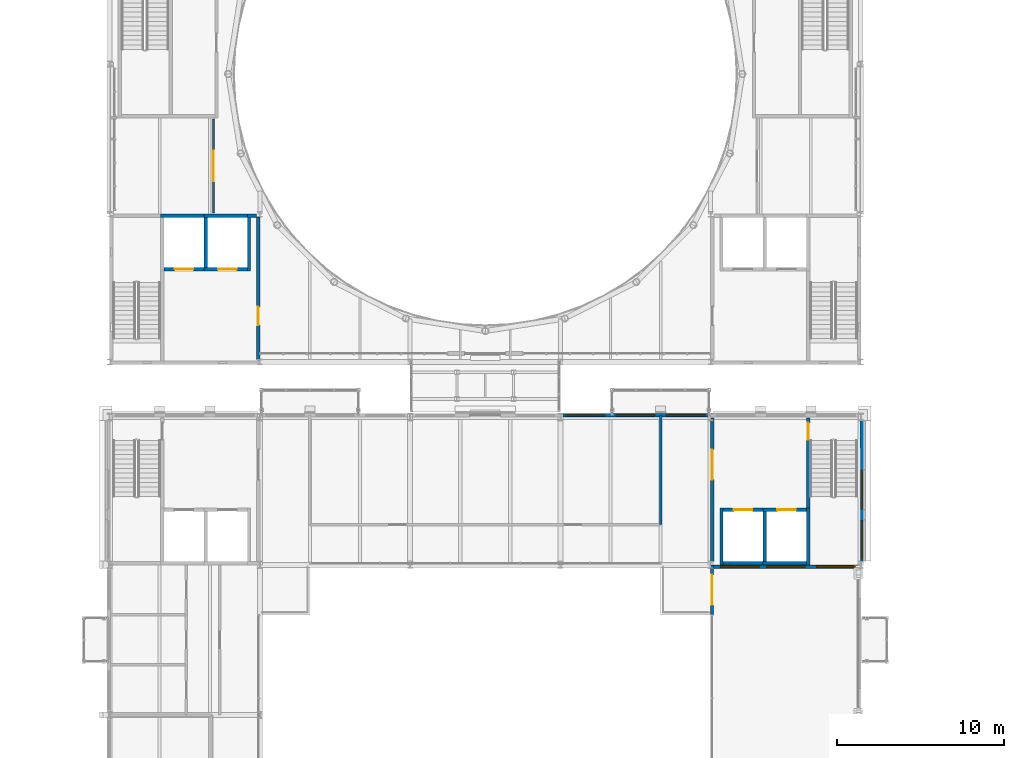
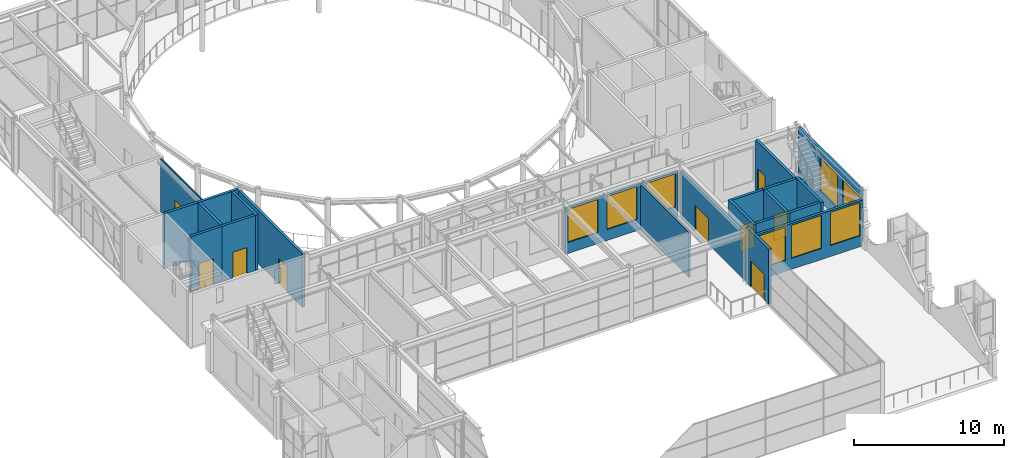
# One storey, part 72 of 111: 23 walls, 9 doors, 8 windows, 17 openings.
"""IFC4 building model written with IfcOpenShell, lengths in metres."""

from ifc_helpers import new_model, si_unit, direction, frame, frame_2d, origin, place, context, subcontext, project, spatial, rectangle, extrude, material, layer, layer_set, type_object, element, fill, save


model = new_model("IFC4")

# Units and contexts
model_context = context("Model", 3, precision=1e-05, world=origin(), true_north=direction((0.0, 1.0)))
body_context = subcontext(model_context, "Body", "Model", "MODEL_VIEW")
ifc_project = project(units=[si_unit("LENGTHUNIT", "METRE"), si_unit("AREAUNIT", "SQUARE_METRE"), si_unit("VOLUMEUNIT", "CUBIC_METRE"), si_unit("PLANEANGLEUNIT", "RADIAN"), si_unit("MASSUNIT", "GRAM", prefix="KILO")], contexts=[model_context])

# Site, building, storey
site_placement = place(None, origin())
site = spatial("IfcSite", under=ifc_project, at=site_placement, CompositionType="ELEMENT")
building_placement = place(site_placement, origin())
building = spatial("IfcBuilding", under=site, at=building_placement, Name="Kallimachos Central Library", CompositionType="ELEMENT")
storey_placement = place(building_placement, frame((0.0, 0.0, 14.39990234375)))
storey = spatial("IfcBuildingStorey", under=building, at=storey_placement, Name="L03", CompositionType="ELEMENT", Elevation=14.39990234375)

# Wall, opening, door
ifc_material_1 = material(Name="Brick masonry", Category="masonry")
ifc_layer_1 = layer(ifc_material_1, 0.199951171875)
ifc_layer_set_1 = layer_set([ifc_layer_1], Name="Atrium screen wall 200")
wall_type_1 = type_object("IfcWallType", Name="Atrium screen wall 200", PredefinedType="SOLIDWALL", material=ifc_layer_set_1)
wall_1_placement = place(storey_placement, frame((101.580078125, 72.0, 0.0), z_axis=(0.0, 0.0, 1.0), x_axis=(0.0, 1.0, 0.0)))
wall_1 = element("IfcWall", 1, at=wall_1_placement, inside=storey, type_object=wall_type_1, Name="L03 atrium screen wall E", PredefinedType="SOLIDWALL", context=body_context, shape_type="SweptSolid", body=[
    extrude(rectangle(XDim=3.0, YDim=0.199951171875, at=frame_2d((1.5, 0.0))), origin(), (0.0, 0.0, 1.0), 4.5),
])
opening_1_placement = place(wall_1_placement, frame((0.60009765625, 0.0, 0.0)))
opening_1 = element("IfcOpeningElement", 2, at=opening_1_placement, cuts=wall_1, Name="Opening D44", PredefinedType="OPENING", context=body_context, shape_type="SweptSolid", body=[
    extrude(rectangle(XDim=1.800048828125, YDim=2.10009765625, at=frame_2d((0.89990234375, 1.050048828125))), frame((0.0, 0.10986328125, 0.0), z_axis=(0.0, -1.0, 0.0), x_axis=(1.0, 0.0, 0.0)), (0.0, 0.0, 1.0), 0.219970703125),
])
ifc_material_2 = material(Name="Timber and glass", Category="wood")
door_type_1 = type_object("IfcDoorType", Name="Double leaf door 1800 x 2100, EI2 90", OperationType="DOUBLE_DOOR_SINGLE_SWING", PredefinedType="DOOR", material=ifc_material_2)
door_1_placement = place(opening_1_placement, origin())
door_1 = element("IfcDoor", 3, at=door_1_placement, inside=storey, type_object=door_type_1, Name="Atrium Door E", OperationType="DOUBLE_DOOR_SINGLE_SWING", OverallHeight=2.10009765625, OverallWidth=1.800048828125, PredefinedType="DOOR", context=body_context, shape_type="SweptSolid", body=[
    extrude(rectangle(XDim=1.800048828125, YDim=2.10009765625, at=frame_2d((0.89990234375, 1.050048828125))), frame((0.0, 0.02490234375, 0.0), z_axis=(0.0, -1.0, 0.0), x_axis=(1.0, 0.0, 0.0)), (0.0, 0.0, 1.0), 0.050048828125),
])
fill(opening_1, door_1)

ifc_material_3 = material(Name="Concrete C30/37", Category="concrete")
ifc_layer_2 = layer(ifc_material_3, 0.199951171875)
ifc_layer_set_2 = layer_set([ifc_layer_2], Name="Core wall 200")
wall_type_2 = type_object("IfcWallType", Name="Core wall 200", PredefinedType="SOLIDWALL", material=ifc_layer_set_2)
wall_2_placement = place(storey_placement, frame((74.39990234375, 87.31005859375, 0.0), z_axis=(0.0, 0.0, 1.0), x_axis=(0.0, 1.0, 0.0)))
wall_2 = element("IfcWall", 4, at=wall_2_placement, inside=storey, type_object=wall_type_2, Name="Core wall V1-SW E", PredefinedType="SOLIDWALL", context=body_context, shape_type="SweptSolid", body=[
    extrude(rectangle(XDim=8.530029296875, YDim=0.199951171875, at=frame_2d((4.26513671875, 0.0))), origin(), (0.0, 0.0, 1.0), 4.35009765625),
])
opening_2_placement = place(wall_2_placement, frame((2.0400390625, 0.0, 0.0)))
opening_2 = element("IfcOpeningElement", 5, at=opening_2_placement, cuts=wall_2, Name="Opening D223", PredefinedType="OPENING", context=body_context, shape_type="SweptSolid", body=[
    extrude(rectangle(XDim=1.10009765625, YDim=2.10009765625, at=frame_2d((0.550048828125, 1.050048828125))), frame((0.0, 0.10986328125, 0.0), z_axis=(0.0, -1.0, 0.0), x_axis=(1.0, 0.0, 0.0)), (0.0, 0.0, 1.0), 0.219970703125),
])
ifc_material_4 = material(Name="Steel fire door", Category="steel")
door_type_2 = type_object("IfcDoorType", Name="Fire door EI2 90 1100 x 2100", OperationType="NOTDEFINED", PredefinedType="DOOR", material=ifc_material_4)
door_2_placement = place(opening_2_placement, origin())
door_2 = element("IfcDoor", 6, at=door_2_placement, inside=storey, type_object=door_type_2, Name="V1-DOR-L03-006", OperationType="SINGLE_SWING_RIGHT", OverallHeight=2.10009765625, OverallWidth=1.10009765625, PredefinedType="DOOR", context=body_context, shape_type="SweptSolid", body=[
    extrude(rectangle(XDim=1.10009765625, YDim=2.10009765625, at=frame_2d((0.550048828125, 1.050048828125))), frame((0.0, 0.02490234375, 0.0), z_axis=(0.0, -1.0, 0.0), x_axis=(1.0, 0.0, 0.0)), (0.0, 0.0, 1.0), 0.050048828125),
])
fill(opening_2, door_2)

# Wall
wall_3_placement = place(storey_placement, frame((73.75, 95.89990234375, 0.0), z_axis=(0.0, 0.0, 1.0), x_axis=(1.0, 0.0, 0.0)))
element("IfcWall", 7, at=wall_3_placement, inside=storey, type_object=wall_type_2, Name="Core wall V1-SW N", PredefinedType="SOLIDWALL", context=body_context, shape_type="SweptSolid", body=[
    extrude(rectangle(XDim=0.550048828125, YDim=0.199951171875, at=frame_2d((0.27490234375, 0.0))), origin(), (0.0, 0.0, 1.0), 4.5),
])

# Wall, opening, door
ifc_material_5 = material(Name="Concrete C30/37", Category="concrete")
ifc_layer_3 = layer(ifc_material_5, 0.199951171875)
ifc_layer_set_3 = layer_set([ifc_layer_3], Name="Lift shaft wall 200")
wall_type_3 = type_object("IfcWallType", Name="Lift shaft wall 200", PredefinedType="SOLIDWALL", material=ifc_layer_set_3)
wall_4_placement = place(storey_placement, frame((104.64990234375, 78.300048828125, 0.0), z_axis=(0.0, 0.0, 1.0), x_axis=(1.0, 0.0, 0.0)))
wall_4 = element("IfcWall", 8, at=wall_4_placement, inside=storey, type_object=wall_type_3, Name="V4-WAL-L03-008", PredefinedType="SOLIDWALL", context=body_context, shape_type="SweptSolid", body=[
    extrude(rectangle(XDim=2.60009765625, YDim=0.199951171875, at=frame_2d((1.300048828125, 0.0))), origin(), (0.0, 0.0, 1.0), 4.5),
])
opening_3_placement = place(wall_4_placement, frame((0.85009765625, 0.0, 0.0)))
opening_3 = element("IfcOpeningElement", 9, at=opening_3_placement, cuts=wall_4, Name="Opening LD1100", PredefinedType="OPENING", context=body_context, shape_type="SweptSolid", body=[
    extrude(rectangle(XDim=1.10009765625, YDim=2.10009765625, at=frame_2d((0.550048828125, 1.050048828125))), frame((0.0, 0.10986328125, 0.0), z_axis=(0.0, -1.0, 0.0), x_axis=(1.0, 0.0, 0.0)), (0.0, 0.0, 1.0), 0.219970703125),
])
ifc_material_6 = material(Name="Stainless steel", Category="steel")
door_type_3 = type_object("IfcDoorType", Name="Lift landing door 1100 x 2100", OperationType="SLIDING_TO_LEFT", PredefinedType="DOOR", material=ifc_material_6)
door_3_placement = place(opening_3_placement, origin())
door_3 = element("IfcDoor", 10, at=door_3_placement, inside=storey, type_object=door_type_3, Name="LF9 landing door L03", OperationType="SLIDING_TO_LEFT", OverallHeight=2.10009765625, OverallWidth=1.10009765625, PredefinedType="DOOR", context=body_context, shape_type="SweptSolid", body=[
    extrude(rectangle(XDim=1.10009765625, YDim=2.10009765625, at=frame_2d((0.550048828125, 1.050048828125))), frame((0.0, 0.02490234375, 0.0), z_axis=(0.0, -1.0, 0.0), x_axis=(1.0, 0.0, 0.0)), (0.0, 0.0, 1.0), 0.050048828125),
])
fill(opening_3, door_3)

# Walls
wall_5_placement = place(storey_placement, frame((104.64990234375, 75.10009765625, 0.0), z_axis=(0.0, 0.0, 1.0), x_axis=(1.0, 0.0, 0.0)))
element("IfcWall", 11, at=wall_5_placement, inside=storey, type_object=wall_type_3, Name="V4-WAL-L03-009", PredefinedType="SOLIDWALL", context=body_context, shape_type="SweptSolid", body=[
    extrude(rectangle(XDim=2.60009765625, YDim=0.199951171875, at=frame_2d((1.300048828125, 0.0))), origin(), (0.0, 0.0, 1.0), 4.5),
])
for number, where, z_axis, x_axis, name in (
    (12, (104.75, 75.0, 0.0), (0.0, 0.0, 1.0), (0.0, 1.0, 0.0), "V4-WAL-L03-010"),
    (13, (107.35009765625, 75.0, 0.0), (0.0, 0.0, 1.0), (0.0, 1.0, 0.0), "V4-WAL-L03-011"),
):
    element("IfcWall", number, at=place(storey_placement, frame(where, z_axis=z_axis, x_axis=x_axis)), inside=storey, type_object=wall_type_3, Name=name, PredefinedType="SOLIDWALL", context=body_context, shape_type="SweptSolid", body=[
        extrude(rectangle(XDim=3.39990234375, YDim=0.199951171875, at=frame_2d((1.699951171875, 0.0))), origin(), (0.0, 0.0, 1.0), 4.5),
    ])

# Wall, opening, door
wall_6_placement = place(storey_placement, frame((102.25, 78.300048828125, 0.0), z_axis=(0.0, 0.0, 1.0), x_axis=(1.0, 0.0, 0.0)))
wall_6 = element("IfcWall", 14, at=wall_6_placement, inside=storey, type_object=wall_type_3, Name="V4-WAL-L03-012", PredefinedType="SOLIDWALL", context=body_context, shape_type="SweptSolid", body=[
    extrude(rectangle(XDim=2.39990234375, YDim=0.199951171875, at=frame_2d((1.199951171875, 0.0))), origin(), (0.0, 0.0, 1.0), 4.5),
])
opening_4_placement = place(wall_6_placement, frame((0.64990234375, 0.0, 0.0)))
opening_4 = element("IfcOpeningElement", 15, at=opening_4_placement, cuts=wall_6, Name="Opening LD1100", PredefinedType="OPENING", context=body_context, shape_type="SweptSolid", body=[
    extrude(rectangle(XDim=1.10009765625, YDim=2.10009765625, at=frame_2d((0.550048828125, 1.050048828125))), frame((0.0, 0.10986328125, 0.0), z_axis=(0.0, -1.0, 0.0), x_axis=(1.0, 0.0, 0.0)), (0.0, 0.0, 1.0), 0.219970703125),
])
door_4_placement = place(opening_4_placement, origin())
door_4 = element("IfcDoor", 16, at=door_4_placement, inside=storey, type_object=door_type_3, Name="LF10 landing door L03", OperationType="SLIDING_TO_LEFT", OverallHeight=2.10009765625, OverallWidth=1.10009765625, PredefinedType="DOOR", context=body_context, shape_type="SweptSolid", body=[
    extrude(rectangle(XDim=1.10009765625, YDim=2.10009765625, at=frame_2d((0.550048828125, 1.050048828125))), frame((0.0, 0.02490234375, 0.0), z_axis=(0.0, -1.0, 0.0), x_axis=(1.0, 0.0, 0.0)), (0.0, 0.0, 1.0), 0.050048828125),
])
fill(opening_4, door_4)

# Walls
wall_7_placement = place(storey_placement, frame((102.25, 75.10009765625, 0.0), z_axis=(0.0, 0.0, 1.0), x_axis=(1.0, 0.0, 0.0)))
element("IfcWall", 17, at=wall_7_placement, inside=storey, type_object=wall_type_3, Name="V4-WAL-L03-013", PredefinedType="SOLIDWALL", context=body_context, shape_type="SweptSolid", body=[
    extrude(rectangle(XDim=2.39990234375, YDim=0.199951171875, at=frame_2d((1.199951171875, 0.0))), origin(), (0.0, 0.0, 1.0), 4.5),
])
wall_8_placement = place(storey_placement, frame((102.14990234375, 75.0, 0.0), z_axis=(0.0, 0.0, 1.0), x_axis=(0.0, 1.0, 0.0)))
element("IfcWall", 18, at=wall_8_placement, inside=storey, type_object=wall_type_3, Name="V4-WAL-L03-014", PredefinedType="SOLIDWALL", context=body_context, shape_type="SweptSolid", body=[
    extrude(rectangle(XDim=3.39990234375, YDim=0.199951171875, at=frame_2d((1.699951171875, 0.0))), origin(), (0.0, 0.0, 1.0), 4.5),
])
wall_9_placement = place(storey_placement, frame((68.550048828125, 95.89990234375, 0.0), z_axis=(0.0, 0.0, 1.0), x_axis=(1.0, 0.0, 0.0)))
element("IfcWall", 19, at=wall_9_placement, inside=storey, type_object=wall_type_3, Name="V1-WAL-L03-001", PredefinedType="SOLIDWALL", context=body_context, shape_type="SweptSolid", body=[
    extrude(rectangle(XDim=2.599853515625, YDim=0.199951171875, at=frame_2d((1.2998046875, 0.0))), origin(), (0.0, 0.0, 1.0), 4.5),
])

# Wall, opening, door
wall_10_placement = place(storey_placement, frame((68.75, 92.699951171875, 0.0), z_axis=(0.0, 0.0, 1.0), x_axis=(1.0, 0.0, 0.0)))
wall_10 = element("IfcWall", 20, at=wall_10_placement, inside=storey, type_object=wall_type_3, Name="V1-WAL-L03-002", PredefinedType="SOLIDWALL", context=body_context, shape_type="SweptSolid", body=[
    extrude(rectangle(XDim=2.39990234375, YDim=0.199951171875, at=frame_2d((1.199951171875, 0.0))), origin(), (0.0, 0.0, 1.0), 4.5),
])
opening_5_placement = place(wall_10_placement, frame((0.64990234375, 0.0, 0.0)))
opening_5 = element("IfcOpeningElement", 21, at=opening_5_placement, cuts=wall_10, Name="Opening LD1100", PredefinedType="OPENING", context=body_context, shape_type="SweptSolid", body=[
    extrude(rectangle(XDim=1.10009765625, YDim=2.10009765625, at=frame_2d((0.550048828125, 1.050048828125))), frame((0.0, 0.10986328125, 0.0), z_axis=(0.0, -1.0, 0.0), x_axis=(1.0, 0.0, 0.0)), (0.0, 0.0, 1.0), 0.219970703125),
])
door_5_placement = place(opening_5_placement, origin())
door_5 = element("IfcDoor", 22, at=door_5_placement, inside=storey, type_object=door_type_3, Name="LF1 landing door L03", OperationType="SLIDING_TO_LEFT", OverallHeight=2.10009765625, OverallWidth=1.10009765625, PredefinedType="DOOR", context=body_context, shape_type="SweptSolid", body=[
    extrude(rectangle(XDim=1.10009765625, YDim=2.10009765625, at=frame_2d((0.550048828125, 1.050048828125))), frame((0.0, 0.02490234375, 0.0), z_axis=(0.0, -1.0, 0.0), x_axis=(1.0, 0.0, 0.0)), (0.0, 0.0, 1.0), 0.050048828125),
])
fill(opening_5, door_5)

# Walls
wall_11_placement = place(storey_placement, frame((71.25, 92.60009765625, 0.0), z_axis=(0.0, 0.0, 1.0), x_axis=(0.0, 1.0, 0.0)))
element("IfcWall", 23, at=wall_11_placement, inside=storey, type_object=wall_type_3, Name="V1-WAL-L03-004", PredefinedType="SOLIDWALL", context=body_context, shape_type="SweptSolid", body=[
    extrude(rectangle(XDim=3.39990234375, YDim=0.199951171875, at=frame_2d((1.699951171875, 0.0))), origin(), (0.0, 0.0, 1.0), 4.5),
])
wall_12_placement = place(storey_placement, frame((71.14990234375, 95.89990234375, 0.0), z_axis=(0.0, 0.0, 1.0), x_axis=(1.0, 0.0, 0.0)))
element("IfcWall", 24, at=wall_12_placement, inside=storey, type_object=wall_type_3, Name="V1-WAL-L03-005", PredefinedType="SOLIDWALL", context=body_context, shape_type="SweptSolid", body=[
    extrude(rectangle(XDim=2.60009765625, YDim=0.199951171875, at=frame_2d((1.300048828125, 0.0))), origin(), (0.0, 0.0, 1.0), 4.5),
])

# Wall, opening, door
wall_13_placement = place(storey_placement, frame((71.14990234375, 92.699951171875, 0.0), z_axis=(0.0, 0.0, 1.0), x_axis=(1.0, 0.0, 0.0)))
wall_13 = element("IfcWall", 25, at=wall_13_placement, inside=storey, type_object=wall_type_3, Name="V1-WAL-L03-006", PredefinedType="SOLIDWALL", context=body_context, shape_type="SweptSolid", body=[
    extrude(rectangle(XDim=2.60009765625, YDim=0.199951171875, at=frame_2d((1.300048828125, 0.0))), origin(), (0.0, 0.0, 1.0), 4.5),
])
opening_6_placement = place(wall_13_placement, frame((0.85009765625, 0.0, 0.0)))
opening_6 = element("IfcOpeningElement", 26, at=opening_6_placement, cuts=wall_13, Name="Opening LD1100", PredefinedType="OPENING", context=body_context, shape_type="SweptSolid", body=[
    extrude(rectangle(XDim=1.10009765625, YDim=2.10009765625, at=frame_2d((0.550048828125, 1.050048828125))), frame((0.0, 0.10986328125, 0.0), z_axis=(0.0, -1.0, 0.0), x_axis=(1.0, 0.0, 0.0)), (0.0, 0.0, 1.0), 0.219970703125),
])
door_6_placement = place(opening_6_placement, origin())
door_6 = element("IfcDoor", 27, at=door_6_placement, inside=storey, type_object=door_type_3, Name="LF2 landing door L03", OperationType="SLIDING_TO_LEFT", OverallHeight=2.10009765625, OverallWidth=1.10009765625, PredefinedType="DOOR", context=body_context, shape_type="SweptSolid", body=[
    extrude(rectangle(XDim=1.10009765625, YDim=2.10009765625, at=frame_2d((0.550048828125, 1.050048828125))), frame((0.0, 0.02490234375, 0.0), z_axis=(0.0, -1.0, 0.0), x_axis=(1.0, 0.0, 0.0)), (0.0, 0.0, 1.0), 0.050048828125),
])
fill(opening_6, door_6)

# Wall
wall_14_placement = place(storey_placement, frame((73.85009765625, 92.60009765625, 0.0), z_axis=(0.0, 0.0, 1.0), x_axis=(0.0, 1.0, 0.0)))
element("IfcWall", 28, at=wall_14_placement, inside=storey, type_object=wall_type_3, Name="V1-WAL-L03-007", PredefinedType="SOLIDWALL", context=body_context, shape_type="SweptSolid", body=[
    extrude(rectangle(XDim=3.39990234375, YDim=0.199951171875, at=frame_2d((1.699951171875, 0.0))), origin(), (0.0, 0.0, 1.0), 4.5),
])

# Wall, opening, door
ifc_material_7 = material(Name="Plasterboard on steel studs", Category="steel")
ifc_layer_4 = layer(ifc_material_7, 0.10009765625)
ifc_layer_set_4 = layer_set([ifc_layer_4], Name="Partition 100")
wall_type_4 = type_object("IfcWallType", Name="Partition 100", PredefinedType="PARTITIONING", material=ifc_layer_set_4)
wall_15_placement = place(storey_placement, frame((71.719970703125, 101.695068359375, 0.0), z_axis=(0.0, 0.0, 1.0), x_axis=(0.0, -1.0, 0.0)))
wall_15 = element("IfcWall", 29, at=wall_15_placement, inside=storey, type_object=wall_type_4, Name="Partition", PredefinedType="PARTITIONING", context=body_context, shape_type="SweptSolid", body=[
    extrude(rectangle(XDim=5.614990234375, YDim=0.10009765625, at=frame_2d((2.8076171875, 0.0))), origin(), (0.0, 0.0, 1.0), 4.35009765625),
])
opening_7_placement = place(wall_15_placement, frame((1.907470703125, 0.0, 0.0)))
opening_7 = element("IfcOpeningElement", 30, at=opening_7_placement, cuts=wall_15, Name="Opening D272", PredefinedType="OPENING", context=body_context, shape_type="SweptSolid", body=[
    extrude(rectangle(XDim=1.800048828125, YDim=2.10009765625, at=frame_2d((0.89990234375, 1.050048828125))), frame((0.0, 0.06005859375, 0.0), z_axis=(0.0, -1.0, 0.0), x_axis=(1.0, 0.0, 0.0)), (0.0, 0.0, 1.0), 0.1201171875),
])
ifc_material_8 = material(Name="Oak veneered door leaf")
door_type_4 = type_object("IfcDoorType", Name="Double leaf door EI2 30 1800 x 2100", OperationType="DOUBLE_DOOR_SINGLE_SWING", PredefinedType="DOOR", material=ifc_material_8)
door_7_placement = place(opening_7_placement, origin())
door_7 = element("IfcDoor", 31, at=door_7_placement, inside=storey, type_object=door_type_4, Name="V1-DOR-L03-010", OperationType="DOUBLE_DOOR_SINGLE_SWING", OverallHeight=2.10009765625, OverallWidth=1.800048828125, PredefinedType="DOOR", context=body_context, shape_type="SweptSolid", body=[
    extrude(rectangle(XDim=1.800048828125, YDim=2.10009765625, at=frame_2d((0.89990234375, 1.050048828125))), frame((0.0, 0.02490234375, 0.0), z_axis=(0.0, -1.0, 0.0), x_axis=(1.0, 0.0, 0.0)), (0.0, 0.0, 1.0), 0.050048828125),
])
fill(opening_7, door_7)

# Wall
ifc_material_9 = material(Name="Gypsum board on steel studs", Category="steel")
ifc_layer_5 = layer(ifc_material_9, 0.14990234375)
ifc_layer_set_5 = layer_set([ifc_layer_5], Name="Partition wall 150")
wall_type_5 = type_object("IfcWallType", Name="Partition wall 150", PredefinedType="PARTITIONING", material=ifc_layer_set_5)
wall_16_placement = place(storey_placement, frame((98.5, 77.39990234375, 0.0), z_axis=(0.0, 0.0, 1.0), x_axis=(0.0, 1.0, 0.0)))
element("IfcWall", 32, at=wall_16_placement, inside=storey, type_object=wall_type_5, Name="L03 partition", PredefinedType="PARTITIONING", context=body_context, shape_type="SweptSolid", body=[
    extrude(rectangle(XDim=6.550048828125, YDim=0.14990234375, at=frame_2d((3.27490234375, 0.0))), origin(), (0.0, 0.0, 1.0), 3.7001953125),
])

# Wall, opening, door
ifc_material_10 = material(Name="Concrete C35/45", Category="concrete")
ifc_layer_6 = layer(ifc_material_10, 0.199951171875)
ifc_layer_set_6 = layer_set([ifc_layer_6], Name="Shear core wall 200, internal")
wall_type_6 = type_object("IfcWallType", Name="Shear core wall 200, internal", PredefinedType="SHEAR", material=ifc_layer_set_6)
wall_17_placement = place(storey_placement, frame((101.60009765625, 75.199951171875, 0.0), z_axis=(0.0, 0.0, 1.0), x_axis=(0.0, 1.0, 0.0)))
wall_17 = element("IfcWall", 33, at=wall_17_placement, inside=storey, type_object=wall_type_6, Name="L03 core wall V4-NE E", PredefinedType="SHEAR", context=body_context, shape_type="SweptSolid", body=[
    extrude(rectangle(XDim=8.60009765625, YDim=0.199951171875, at=frame_2d((4.300048828125, 0.0))), origin(), (0.0, 0.0, 1.0), 3.75),
])
opening_8_placement = place(wall_17_placement, frame((4.89990234375, 0.0, 0.0)))
opening_8 = element("IfcOpeningElement", 34, at=opening_8_placement, cuts=wall_17, Name="Opening D160", PredefinedType="OPENING", context=body_context, shape_type="SweptSolid", body=[
    extrude(rectangle(XDim=1.800048828125, YDim=2.10009765625, at=frame_2d((0.89990234375, 1.050048828125))), frame((0.0, 0.10986328125, 0.0), z_axis=(0.0, -1.0, 0.0), x_axis=(1.0, 0.0, 0.0)), (0.0, 0.0, 1.0), 0.219970703125),
])
door_8_placement = place(opening_8_placement, origin())
door_8 = element("IfcDoor", 35, at=door_8_placement, inside=storey, type_object=door_type_1, Name="L03 core door V4-NE", OperationType="DOUBLE_DOOR_SINGLE_SWING", OverallHeight=2.10009765625, OverallWidth=1.800048828125, PredefinedType="DOOR", context=body_context, shape_type="SweptSolid", body=[
    extrude(rectangle(XDim=1.800048828125, YDim=2.10009765625, at=frame_2d((0.89990234375, 1.050048828125))), frame((0.0, 0.02490234375, 0.0), z_axis=(0.0, -1.0, 0.0), x_axis=(1.0, 0.0, 0.0)), (0.0, 0.0, 1.0), 0.050048828125),
])
fill(opening_8, door_8)

wall_18_placement = place(storey_placement, frame((107.35009765625, 78.39990234375, 0.0), z_axis=(0.0, 0.0, 1.0), x_axis=(0.0, 1.0, 0.0)))
wall_18 = element("IfcWall", 36, at=wall_18_placement, inside=storey, type_object=wall_type_6, Name="L03 core wall V4-NE M", PredefinedType="SHEAR", context=body_context, shape_type="SweptSolid", body=[
    extrude(rectangle(XDim=5.400146484375, YDim=0.199951171875, at=frame_2d((2.7001953125, 0.0))), origin(), (0.0, 0.0, 1.0), 4.300048828125),
])
opening_9_placement = place(wall_18_placement, frame((4.10009765625, 0.0, 0.0)))
opening_9 = element("IfcOpeningElement", 37, at=opening_9_placement, cuts=wall_18, Name="Opening D165", PredefinedType="OPENING", context=body_context, shape_type="SweptSolid", body=[
    extrude(rectangle(XDim=1.0, YDim=2.10009765625, at=frame_2d((0.5, 1.050048828125))), frame((0.0, 0.10986328125, 0.0), z_axis=(0.0, -1.0, 0.0), x_axis=(1.0, 0.0, 0.0)), (0.0, 0.0, 1.0), 0.219970703125),
])
ifc_material_11 = material(Name="Timber", Category="wood")
door_type_5 = type_object("IfcDoorType", Name="Single leaf door 1000 x 2100, EI2 90", OperationType="NOTDEFINED", PredefinedType="DOOR", material=ifc_material_11)
door_9_placement = place(opening_9_placement, frame((1.0, 0.0, 0.0), z_axis=(0.0, 0.0, 1.0), x_axis=(-1.0, 0.0, 0.0)))
door_9 = element("IfcDoor", 38, at=door_9_placement, inside=storey, type_object=door_type_5, Name="L03 core door V4-NE", OperationType="SINGLE_SWING_LEFT", OverallHeight=2.10009765625, OverallWidth=1.0, PredefinedType="DOOR", context=body_context, shape_type="SweptSolid", body=[
    extrude(rectangle(XDim=1.0, YDim=2.10009765625, at=frame_2d((0.5, 1.050048828125))), frame((0.0, 0.02490234375, 0.0), z_axis=(0.0, -1.0, 0.0), x_axis=(1.0, 0.0, 0.0)), (0.0, 0.0, 1.0), 0.050048828125),
])
fill(opening_9, door_9)

# Wall, openings, windows
ifc_material_12 = material(Name="Brick masonry with Pentelic marble cladding", Category="masonry")
ifc_layer_7 = layer(ifc_material_12, 0.199951171875)
ifc_layer_set_7 = layer_set([ifc_layer_7], Name="Stone-clad masonry wall 200")
wall_type_7 = type_object("IfcWallType", Name="Stone-clad masonry wall 200", PredefinedType="SOLIDWALL", material=ifc_layer_set_7)
wall_19_placement = place(storey_placement, frame((92.653564453125, 83.966064453125, 0.0), z_axis=(0.0, 0.0, 1.0), x_axis=(1.0, 0.0, 0.0)))
wall_19 = element("IfcWall", 39, at=wall_19_placement, inside=storey, type_object=wall_type_7, Name="V4-WAL-L03-018", PredefinedType="SOLIDWALL", context=body_context, shape_type="SweptSolid", body=[
    extrude(rectangle(XDim=8.69287109375, YDim=0.199951171875, at=frame_2d((4.346435546875, 0.0))), origin(), (0.0, 0.0, 1.0), 3.75),
])
opening_10_placement = place(wall_19_placement, frame((0.196533203125, 0.0, 0.89990234375)))
opening_10 = element("IfcOpeningElement", 40, at=opening_10_placement, cuts=wall_19, Name="Opening WN161", PredefinedType="OPENING", context=body_context, shape_type="SweptSolid", body=[
    extrude(rectangle(XDim=2.300048828125, YDim=2.699951171875, at=frame_2d((1.14990234375, 1.35009765625))), frame((0.0, 0.10986328125, 0.0), z_axis=(0.0, -1.0, 0.0), x_axis=(1.0, 0.0, 0.0)), (0.0, 0.0, 1.0), 0.219970703125),
])
opening_11_placement = place(wall_19_placement, frame((3.196533203125, 0.0, 0.89990234375)))
opening_11 = element("IfcOpeningElement", 41, at=opening_11_placement, cuts=wall_19, Name="Opening WN161", PredefinedType="OPENING", context=body_context, shape_type="SweptSolid", body=[
    extrude(rectangle(XDim=2.300048828125, YDim=2.699951171875, at=frame_2d((1.14990234375, 1.35009765625))), frame((0.0, 0.10986328125, 0.0), z_axis=(0.0, -1.0, 0.0), x_axis=(1.0, 0.0, 0.0)), (0.0, 0.0, 1.0), 0.219970703125),
])
opening_12_placement = place(wall_19_placement, frame((6.196533203125, 0.0, 0.89990234375)))
opening_12 = element("IfcOpeningElement", 42, at=opening_12_placement, cuts=wall_19, Name="Opening WN161", PredefinedType="OPENING", context=body_context, shape_type="SweptSolid", body=[
    extrude(rectangle(XDim=2.300048828125, YDim=2.699951171875, at=frame_2d((1.14990234375, 1.35009765625))), frame((0.0, 0.10986328125, 0.0), z_axis=(0.0, -1.0, 0.0), x_axis=(1.0, 0.0, 0.0)), (0.0, 0.0, 1.0), 0.219970703125),
])
ifc_material_13 = material(Name="Anodised aluminium and laminated glass", Category="aluminium")
window_type_1 = type_object("IfcWindowType", Name="Window 2300 x 2700", PartitioningType="DOUBLE_PANEL_VERTICAL", PredefinedType="WINDOW", material=ifc_material_13)
window_1_placement = place(opening_10_placement, origin())
window_1 = element("IfcWindow", 43, at=window_1_placement, inside=storey, type_object=window_type_1, Name="V4-WIN-L03-009", OverallHeight=2.699951171875, OverallWidth=2.300048828125, PartitioningType="SINGLE_PANEL", PredefinedType="WINDOW", context=body_context, shape_type="SweptSolid", body=[
    extrude(rectangle(XDim=2.300048828125, YDim=2.699951171875, at=frame_2d((1.14990234375, 1.35009765625))), frame((0.0, 0.030029296875, 0.0), z_axis=(0.0, -1.0, 0.0), x_axis=(1.0, 0.0, 0.0)), (0.0, 0.0, 1.0), 0.06005859375),
])
fill(opening_10, window_1)
window_2_placement = place(opening_11_placement, origin())
window_2 = element("IfcWindow", 44, at=window_2_placement, inside=storey, type_object=window_type_1, Name="V4-WIN-L03-010", OverallHeight=2.699951171875, OverallWidth=2.300048828125, PartitioningType="SINGLE_PANEL", PredefinedType="WINDOW", context=body_context, shape_type="SweptSolid", body=[
    extrude(rectangle(XDim=2.300048828125, YDim=2.699951171875, at=frame_2d((1.14990234375, 1.35009765625))), frame((0.0, 0.030029296875, 0.0), z_axis=(0.0, -1.0, 0.0), x_axis=(1.0, 0.0, 0.0)), (0.0, 0.0, 1.0), 0.06005859375),
])
fill(opening_11, window_2)
window_3_placement = place(opening_12_placement, origin())
window_3 = element("IfcWindow", 45, at=window_3_placement, inside=storey, type_object=window_type_1, Name="V4-WIN-L03-011", OverallHeight=2.699951171875, OverallWidth=2.300048828125, PartitioningType="SINGLE_PANEL", PredefinedType="WINDOW", context=body_context, shape_type="SweptSolid", body=[
    extrude(rectangle(XDim=2.300048828125, YDim=2.699951171875, at=frame_2d((1.14990234375, 1.35009765625))), frame((0.0, 0.030029296875, 0.0), z_axis=(0.0, -1.0, 0.0), x_axis=(1.0, 0.0, 0.0)), (0.0, 0.0, 1.0), 0.06005859375),
])
fill(opening_12, window_3)

ifc_material_14 = material(Name="Brick masonry with Pentelic marble cladding", Category="masonry")
ifc_layer_8 = layer(ifc_material_14, 0.199951171875)
ifc_layer_set_8 = layer_set([ifc_layer_8], Name="Stone-clad masonry wall 200, load-bearing")
wall_type_8 = type_object("IfcWallType", Name="Stone-clad masonry wall 200, load-bearing", PredefinedType="SOLIDWALL", material=ifc_layer_set_8)
wall_20_placement = place(storey_placement, frame((101.653564453125, 74.884033203125, 0.0), z_axis=(0.0, 0.0, 1.0), x_axis=(1.0, 0.0, 0.0)))
wall_20 = element("IfcWall", 46, at=wall_20_placement, inside=storey, type_object=wall_type_8, Name="V4-WAL-L03-025", PredefinedType="SOLIDWALL", context=body_context, shape_type="SweptSolid", body=[
    extrude(rectangle(XDim=8.69287109375, YDim=0.199951171875, at=frame_2d((4.346435546875, 0.0))), origin(), (0.0, 0.0, 1.0), 3.75),
])
opening_13_placement = place(wall_20_placement, frame((0.446533203125, 0.0, 0.89990234375)))
opening_13 = element("IfcOpeningElement", 47, at=opening_13_placement, cuts=wall_20, Name="Opening WN161", PredefinedType="OPENING", context=body_context, shape_type="SweptSolid", body=[
    extrude(rectangle(XDim=2.300048828125, YDim=2.699951171875, at=frame_2d((1.14990234375, 1.35009765625))), frame((0.0, 0.10986328125, 0.0), z_axis=(0.0, -1.0, 0.0), x_axis=(1.0, 0.0, 0.0)), (0.0, 0.0, 1.0), 0.219970703125),
])
opening_14_placement = place(wall_20_placement, frame((3.196533203125, 0.0, 0.89990234375)))
opening_14 = element("IfcOpeningElement", 48, at=opening_14_placement, cuts=wall_20, Name="Opening WN161", PredefinedType="OPENING", context=body_context, shape_type="SweptSolid", body=[
    extrude(rectangle(XDim=2.300048828125, YDim=2.699951171875, at=frame_2d((1.14990234375, 1.35009765625))), frame((0.0, 0.10986328125, 0.0), z_axis=(0.0, -1.0, 0.0), x_axis=(1.0, 0.0, 0.0)), (0.0, 0.0, 1.0), 0.219970703125),
])
opening_15_placement = place(wall_20_placement, frame((6.196533203125, 0.0, 0.89990234375)))
opening_15 = element("IfcOpeningElement", 49, at=opening_15_placement, cuts=wall_20, Name="Opening WN161", PredefinedType="OPENING", context=body_context, shape_type="SweptSolid", body=[
    extrude(rectangle(XDim=2.300048828125, YDim=2.699951171875, at=frame_2d((1.14990234375, 1.35009765625))), frame((0.0, 0.10986328125, 0.0), z_axis=(0.0, -1.0, 0.0), x_axis=(1.0, 0.0, 0.0)), (0.0, 0.0, 1.0), 0.219970703125),
])
window_4_placement = place(opening_13_placement, origin())
window_4 = element("IfcWindow", 50, at=window_4_placement, inside=storey, type_object=window_type_1, Name="V4-WIN-L03-028", OverallHeight=2.699951171875, OverallWidth=2.300048828125, PartitioningType="SINGLE_PANEL", PredefinedType="WINDOW", context=body_context, shape_type="SweptSolid", body=[
    extrude(rectangle(XDim=2.300048828125, YDim=2.699951171875, at=frame_2d((1.14990234375, 1.35009765625))), frame((0.0, 0.030029296875, 0.0), z_axis=(0.0, -1.0, 0.0), x_axis=(1.0, 0.0, 0.0)), (0.0, 0.0, 1.0), 0.06005859375),
])
fill(opening_13, window_4)
window_5_placement = place(opening_14_placement, origin())
window_5 = element("IfcWindow", 51, at=window_5_placement, inside=storey, type_object=window_type_1, Name="V4-WIN-L03-029", OverallHeight=2.699951171875, OverallWidth=2.300048828125, PartitioningType="SINGLE_PANEL", PredefinedType="WINDOW", context=body_context, shape_type="SweptSolid", body=[
    extrude(rectangle(XDim=2.300048828125, YDim=2.699951171875, at=frame_2d((1.14990234375, 1.35009765625))), frame((0.0, 0.030029296875, 0.0), z_axis=(0.0, -1.0, 0.0), x_axis=(1.0, 0.0, 0.0)), (0.0, 0.0, 1.0), 0.06005859375),
])
fill(opening_14, window_5)
window_6_placement = place(opening_15_placement, origin())
window_6 = element("IfcWindow", 52, at=window_6_placement, inside=storey, type_object=window_type_1, Name="V4-WIN-L03-030", OverallHeight=2.699951171875, OverallWidth=2.300048828125, PartitioningType="SINGLE_PANEL", PredefinedType="WINDOW", context=body_context, shape_type="SweptSolid", body=[
    extrude(rectangle(XDim=2.300048828125, YDim=2.699951171875, at=frame_2d((1.14990234375, 1.35009765625))), frame((0.0, 0.030029296875, 0.0), z_axis=(0.0, -1.0, 0.0), x_axis=(1.0, 0.0, 0.0)), (0.0, 0.0, 1.0), 0.06005859375),
])
fill(opening_15, window_6)

ifc_material_15 = material(Name="Brick masonry with Pentelic marble cladding", Category="masonry")
ifc_layer_9 = layer(ifc_material_15, 0.199951171875)
ifc_layer_set_9 = layer_set([ifc_layer_9], Name="Stone-clad masonry wall 200, load-bearing, EI 120")
wall_type_9 = type_object("IfcWallType", Name="Stone-clad masonry wall 200, load-bearing, EI 120", PredefinedType="SOLIDWALL", material=ifc_layer_set_9)
wall_21_placement = place(storey_placement, frame((110.553466796875, 75.216064453125, 0.0), z_axis=(0.0, 0.0, 1.0), x_axis=(0.0, 1.0, 0.0)))
wall_21 = element("IfcWall", 53, at=wall_21_placement, inside=storey, type_object=wall_type_9, Name="V4-WAL-L03-023", PredefinedType="SOLIDWALL", context=body_context, shape_type="SweptSolid", body=[
    extrude(rectangle(XDim=8.41796875, YDim=0.199951171875, at=frame_2d((4.208984375, 0.0))), origin(), (0.0, 0.0, 1.0), 4.300048828125),
])
opening_16_placement = place(wall_21_placement, frame((0.134033203125, 0.0, 0.89990234375)))
opening_16 = element("IfcOpeningElement", 54, at=opening_16_placement, cuts=wall_21, Name="Opening WN268", PredefinedType="OPENING", context=body_context, shape_type="SweptSolid", body=[
    extrude(rectangle(XDim=2.300048828125, YDim=2.699951171875, at=frame_2d((1.14990234375, 1.35009765625))), frame((0.0, 0.10986328125, 0.0), z_axis=(0.0, -1.0, 0.0), x_axis=(1.0, 0.0, 0.0)), (0.0, 0.0, 1.0), 0.219970703125),
])
opening_17_placement = place(wall_21_placement, frame((3.134033203125, 0.0, 0.89990234375)))
opening_17 = element("IfcOpeningElement", 55, at=opening_17_placement, cuts=wall_21, Name="Opening WN268", PredefinedType="OPENING", context=body_context, shape_type="SweptSolid", body=[
    extrude(rectangle(XDim=2.300048828125, YDim=2.699951171875, at=frame_2d((1.14990234375, 1.35009765625))), frame((0.0, 0.10986328125, 0.0), z_axis=(0.0, -1.0, 0.0), x_axis=(1.0, 0.0, 0.0)), (0.0, 0.0, 1.0), 0.219970703125),
])
ifc_material_16 = material(Name="Anodised aluminium and laminated glass", Category="aluminium")
window_type_2 = type_object("IfcWindowType", Name="Window 2300 x 2700, EI 120", PartitioningType="DOUBLE_PANEL_VERTICAL", PredefinedType="WINDOW", material=ifc_material_16)
window_7_placement = place(opening_16_placement, origin())
window_7 = element("IfcWindow", 56, at=window_7_placement, inside=storey, type_object=window_type_2, Name="V4-WIN-L03-023", OverallHeight=2.699951171875, OverallWidth=2.300048828125, PartitioningType="SINGLE_PANEL", PredefinedType="WINDOW", context=body_context, shape_type="SweptSolid", body=[
    extrude(rectangle(XDim=2.300048828125, YDim=2.699951171875, at=frame_2d((1.14990234375, 1.35009765625))), frame((0.0, 0.030029296875, 0.0), z_axis=(0.0, -1.0, 0.0), x_axis=(1.0, 0.0, 0.0)), (0.0, 0.0, 1.0), 0.06005859375),
])
fill(opening_16, window_7)
window_8_placement = place(opening_17_placement, origin())
window_8 = element("IfcWindow", 57, at=window_8_placement, inside=storey, type_object=window_type_2, Name="V4-WIN-L03-024", OverallHeight=2.699951171875, OverallWidth=2.300048828125, PartitioningType="SINGLE_PANEL", PredefinedType="WINDOW", context=body_context, shape_type="SweptSolid", body=[
    extrude(rectangle(XDim=2.300048828125, YDim=2.699951171875, at=frame_2d((1.14990234375, 1.35009765625))), frame((0.0, 0.030029296875, 0.0), z_axis=(0.0, -1.0, 0.0), x_axis=(1.0, 0.0, 0.0)), (0.0, 0.0, 1.0), 0.06005859375),
])
fill(opening_17, window_8)

save(model, "model.ifc")
